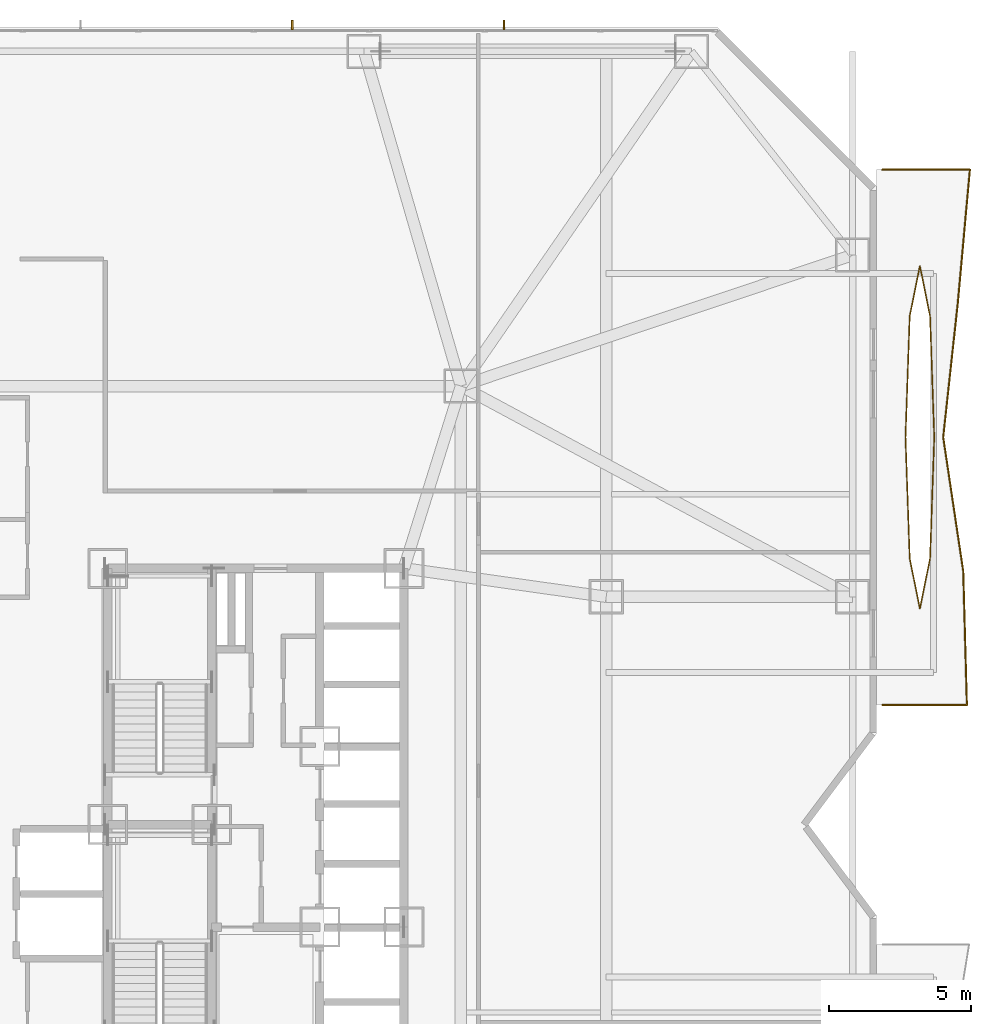
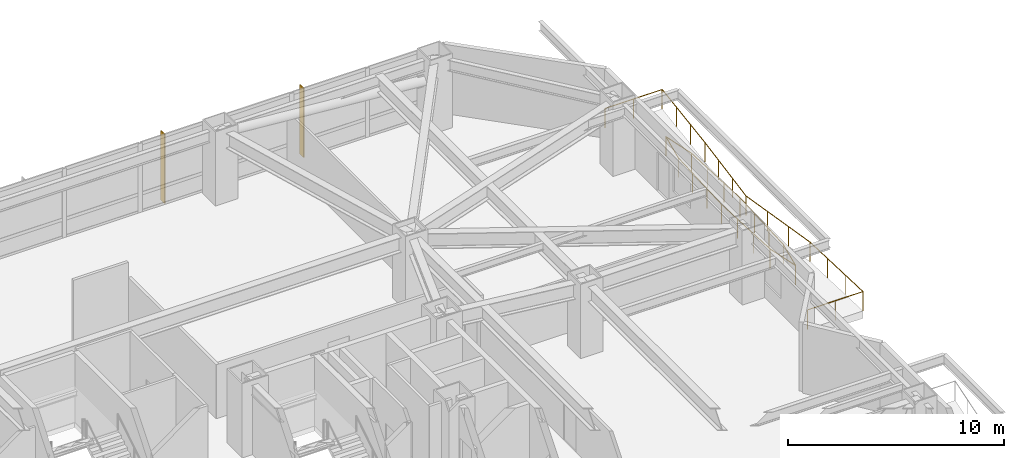
# One storey, part 25 of 25: 4 railings, 2 shading devices.
"""IFC4 building model written with IfcOpenShell, lengths in metres."""

from ifc_helpers import new_model, si_unit, direction, frame, origin, origin_2d, place, context, subcontext, project, spatial, rectangle, circle, extrude, material, type_object, element, save


model = new_model("IFC4")

# Units and contexts
model_context = context("Model", 3, precision=1e-05, world=origin(), true_north=direction((0.0, 1.0)))
body_context = subcontext(model_context, "Body", "Model", "MODEL_VIEW")
ifc_project = project(units=[si_unit("LENGTHUNIT", "METRE"), si_unit("AREAUNIT", "SQUARE_METRE"), si_unit("VOLUMEUNIT", "CUBIC_METRE"), si_unit("PLANEANGLEUNIT", "RADIAN"), si_unit("MASSUNIT", "GRAM", prefix="KILO")], contexts=[model_context])

# Site, building, storey
site_placement = place(None, origin())
site = spatial("IfcSite", under=ifc_project, at=site_placement, CompositionType="ELEMENT")
building_placement = place(site_placement, origin())
building = spatial("IfcBuilding", under=site, at=building_placement, Name="Khamvora Tower", CompositionType="ELEMENT")
storey_placement = place(building_placement, frame((0.0, 0.0, 24.60009765625)))
storey = spatial("IfcBuildingStorey", under=building, at=storey_placement, Name="L05", CompositionType="ELEMENT", Elevation=24.60009765625)

# Railings
ifc_material_1 = material(Name="Stainless Steel 316 and Laminated Glass", Category="steel")
railing_type = type_object("IfcRailingType", Name="RAL-GAL-1120", PredefinedType="GUARDRAIL", material=ifc_material_1)
railing_1_placement = place(storey_placement, frame((56.199951171875, 32.199951171875, 0.0)))
element("IfcRailing", 1, at=railing_1_placement, inside=storey, type_object=railing_type, Name="L05 lens gallery south perimeter guardrail EL2", PredefinedType="GUARDRAIL", context=body_context, shape_type="SweptSolid", body=[
    extrude(circle(Radius=0.02392578125, at=origin_2d()), frame((0.0, 0.0, 1.09619140625), z_axis=(1.0, 0.0, 0.0), x_axis=(0.0, 1.0, 0.0)), (0.0, 0.0, 1.0), 2.967041015625),
    extrude(circle(Radius=0.02392578125, at=origin_2d()), frame((2.967041015625, 0.0, 1.09619140625), z_axis=(-0.027416836445, 0.999624087885, 0.0), x_axis=(-0.999624087885, -0.027416836445, 0.0)), (0.0, 0.0, 1.0), 4.70166015625),
    extrude(circle(Radius=0.02392578125, at=origin_2d()), frame((2.838134765625, 4.699951171875, 1.09619140625), z_axis=(-0.147948564483, 0.988995056746, 0.0), x_axis=(-0.988995056746, -0.147948564483, 0.0)), (0.0, 0.0, 1.0), 4.75244140625),
    extrude(circle(Radius=0.02099609375, at=origin_2d()), origin(), (0.0, 0.0, 1.0), 1.072021484375),
    extrude(circle(Radius=0.02099609375, at=origin_2d()), frame((1.4833984375, 0.0, 0.0)), (0.0, 0.0, 1.0), 1.072021484375),
    extrude(circle(Radius=0.02099609375, at=origin_2d()), frame((2.967041015625, 0.0, 0.0)), (0.0, 0.0, 1.0), 1.072021484375),
    extrude(circle(Radius=0.02099609375, at=origin_2d()), frame((2.924072265625, 1.566650390625, 0.0)), (0.0, 0.0, 1.0), 1.072021484375),
    extrude(circle(Radius=0.02099609375, at=origin_2d()), frame((2.881103515625, 3.13330078125, 0.0)), (0.0, 0.0, 1.0), 1.072021484375),
    extrude(circle(Radius=0.02099609375, at=origin_2d()), frame((2.838134765625, 4.699951171875, 0.0)), (0.0, 0.0, 1.0), 1.072021484375),
    extrude(circle(Radius=0.02099609375, at=origin_2d()), frame((2.603759765625, 6.2666015625, 0.0)), (0.0, 0.0, 1.0), 1.072021484375),
    extrude(circle(Radius=0.02099609375, at=origin_2d()), frame((2.369384765625, 7.83349609375, 0.0)), (0.0, 0.0, 1.0), 1.072021484375),
    extrude(circle(Radius=0.02099609375, at=origin_2d()), frame((2.135009765625, 9.400146484375, 0.0)), (0.0, 0.0, 1.0), 1.072021484375),
])
railing_2_placement = place(storey_placement, frame((58.3349609375, 41.60009765625, 0.0)))
element("IfcRailing", 2, at=railing_2_placement, inside=storey, type_object=railing_type, Name="L05 lens gallery north perimeter guardrail EL2", PredefinedType="GUARDRAIL", context=body_context, shape_type="SweptSolid", body=[
    extrude(circle(Radius=0.02392578125, at=origin_2d()), frame((0.0, 0.0, 1.09619140625), z_axis=(0.108084699753, 0.994141688935, 0.0), x_axis=(-0.994141688935, 0.108084699753, 0.0)), (0.0, 0.0, 1.0), 4.7275390625),
    extrude(circle(Radius=0.02392578125, at=origin_2d()), frame((0.510986328125, 4.699951171875, 1.09619140625), z_axis=(0.090274532388, 0.995916918624, 0.0), x_axis=(-0.995916918624, 0.090274532388, 0.0)), (0.0, 0.0, 1.0), 4.71923828125),
    extrude(circle(Radius=0.02392578125, at=origin_2d()), frame((0.93701171875, 9.39990234375, 1.09619140625), z_axis=(-1.0, 0.0, 0.0), x_axis=(0.0, -1.0, 0.0)), (0.0, 0.0, 1.0), 3.072021484375),
    extrude(circle(Radius=0.02099609375, at=origin_2d()), origin(), (0.0, 0.0, 1.0), 1.072021484375),
    extrude(circle(Radius=0.02099609375, at=origin_2d()), frame((0.17041015625, 1.566650390625, 0.0)), (0.0, 0.0, 1.0), 1.072021484375),
    extrude(circle(Radius=0.02099609375, at=origin_2d()), frame((0.340576171875, 3.13330078125, 0.0)), (0.0, 0.0, 1.0), 1.072021484375),
    extrude(circle(Radius=0.02099609375, at=origin_2d()), frame((0.510986328125, 4.699951171875, 0.0)), (0.0, 0.0, 1.0), 1.072021484375),
    extrude(circle(Radius=0.02099609375, at=origin_2d()), frame((0.653076171875, 6.2666015625, 0.0)), (0.0, 0.0, 1.0), 1.072021484375),
    extrude(circle(Radius=0.02099609375, at=origin_2d()), frame((0.794921875, 7.833251953125, 0.0)), (0.0, 0.0, 1.0), 1.072021484375),
    extrude(circle(Radius=0.02099609375, at=origin_2d()), frame((0.93701171875, 9.39990234375, 0.0)), (0.0, 0.0, 1.0), 1.072021484375),
    extrude(circle(Radius=0.02099609375, at=origin_2d()), frame((-0.59912109375, 9.39990234375, 0.0)), (0.0, 0.0, 1.0), 1.072021484375),
    extrude(circle(Radius=0.02099609375, at=origin_2d()), frame((-2.135009765625, 9.39990234375, 0.0)), (0.0, 0.0, 1.0), 1.072021484375),
])
railing_3_placement = place(storey_placement, frame((58.01904296875, 41.60009765625, 0.0)))
element("IfcRailing", 3, at=railing_3_placement, inside=storey, type_object=railing_type, Name="L05 lens gallery void guardrail EL2A", PredefinedType="GUARDRAIL", context=body_context, shape_type="SweptSolid", body=[
    extrude(circle(Radius=0.02392578125, at=origin_2d()), frame((0.0, 0.0, 1.09619140625), z_axis=(-0.034758598303, 0.999395737355, 0.0), x_axis=(-0.999395737355, -0.034758598303, 0.0)), (0.0, 0.0, 1.0), 4.256591796875),
    extrude(circle(Radius=0.02392578125, at=origin_2d()), frame((-0.14794921875, 4.25390625, 1.09619140625), z_axis=(-0.198152924969, 0.98017111686, 0.0), x_axis=(-0.98017111686, -0.198152924969, 0.0)), (0.0, 0.0, 1.0), 1.797607421875),
    extrude(circle(Radius=0.02392578125, at=origin_2d()), frame((-0.504150390625, 6.015869140625, 1.09619140625), z_axis=(-0.198022438185, -0.980197487232, 0.0), x_axis=(0.980197487232, -0.198022438185, 0.0)), (0.0, 0.0, 1.0), 1.797607421875),
    extrude(circle(Radius=0.02392578125, at=origin_2d()), frame((-0.860107421875, 4.25390625, 1.09619140625), z_axis=(-0.034758598303, -0.999395737355, 0.0), x_axis=(0.999395737355, -0.034758598303, 0.0)), (0.0, 0.0, 1.0), 4.256591796875),
    extrude(circle(Radius=0.02099609375, at=origin_2d()), origin(), (0.0, 0.0, 1.0), 1.072021484375),
    extrude(circle(Radius=0.02099609375, at=origin_2d()), frame((-0.04931640625, 1.41796875, 0.0)), (0.0, 0.0, 1.0), 1.072021484375),
    extrude(circle(Radius=0.02099609375, at=origin_2d()), frame((-0.0986328125, 2.8359375, 0.0)), (0.0, 0.0, 1.0), 1.072021484375),
    extrude(circle(Radius=0.02099609375, at=origin_2d()), frame((-0.14794921875, 4.25390625, 0.0)), (0.0, 0.0, 1.0), 1.072021484375),
    extrude(circle(Radius=0.02099609375, at=origin_2d()), frame((-0.504150390625, 6.015869140625, 0.0)), (0.0, 0.0, 1.0), 1.072021484375),
    extrude(circle(Radius=0.02099609375, at=origin_2d()), frame((-0.860107421875, 4.25390625, 0.0)), (0.0, 0.0, 1.0), 1.072021484375),
    extrude(circle(Radius=0.02099609375, at=origin_2d()), frame((-0.909423828125, 2.8359375, 0.0)), (0.0, 0.0, 1.0), 1.072021484375),
    extrude(circle(Radius=0.02099609375, at=origin_2d()), frame((-0.958740234375, 1.41796875, 0.0)), (0.0, 0.0, 1.0), 1.072021484375),
    extrude(circle(Radius=0.02099609375, at=origin_2d()), frame((-1.008056640625, 0.0, 0.0)), (0.0, 0.0, 1.0), 1.072021484375),
])
railing_4_placement = place(storey_placement, frame((57.010986328125, 41.60009765625, 0.0)))
element("IfcRailing", 4, at=railing_4_placement, inside=storey, type_object=railing_type, Name="L05 lens gallery void guardrail EL2B", PredefinedType="GUARDRAIL", context=body_context, shape_type="SweptSolid", body=[
    extrude(circle(Radius=0.02392578125, at=origin_2d()), frame((0.0, 0.0, 1.09619140625), z_axis=(0.034756605959, -0.999395806646, 0.0), x_axis=(0.999395806646, 0.034756605959, 0.0)), (0.0, 0.0, 1.0), 4.2568359375),
    extrude(circle(Radius=0.02392578125, at=origin_2d()), frame((0.14794921875, -4.254150390625, 1.09619140625), z_axis=(0.198022438185, -0.980197487232, 0.0), x_axis=(0.980197487232, 0.198022438185, 0.0)), (0.0, 0.0, 1.0), 1.797607421875),
    extrude(circle(Radius=0.02392578125, at=origin_2d()), frame((0.50390625, -6.01611328125, 1.09619140625), z_axis=(0.198152924969, 0.98017111686, 0.0), x_axis=(-0.98017111686, 0.198152924969, 0.0)), (0.0, 0.0, 1.0), 1.797607421875),
    extrude(circle(Radius=0.02392578125, at=origin_2d()), frame((0.860107421875, -4.254150390625, 1.09619140625), z_axis=(0.034756605959, 0.999395806646, 0.0), x_axis=(-0.999395806646, 0.034756605959, 0.0)), (0.0, 0.0, 1.0), 4.2568359375),
    extrude(circle(Radius=0.02099609375, at=origin_2d()), origin(), (0.0, 0.0, 1.0), 1.072021484375),
    extrude(circle(Radius=0.02099609375, at=origin_2d()), frame((0.04931640625, -1.41796875, 0.0)), (0.0, 0.0, 1.0), 1.072021484375),
    extrude(circle(Radius=0.02099609375, at=origin_2d()), frame((0.0986328125, -2.836181640625, 0.0)), (0.0, 0.0, 1.0), 1.072021484375),
    extrude(circle(Radius=0.02099609375, at=origin_2d()), frame((0.14794921875, -4.254150390625, 0.0)), (0.0, 0.0, 1.0), 1.072021484375),
    extrude(circle(Radius=0.02099609375, at=origin_2d()), frame((0.50390625, -6.01611328125, 0.0)), (0.0, 0.0, 1.0), 1.072021484375),
    extrude(circle(Radius=0.02099609375, at=origin_2d()), frame((0.860107421875, -4.254150390625, 0.0)), (0.0, 0.0, 1.0), 1.072021484375),
    extrude(circle(Radius=0.02099609375, at=origin_2d()), frame((0.909423828125, -2.836181640625, 0.0)), (0.0, 0.0, 1.0), 1.072021484375),
    extrude(circle(Radius=0.02099609375, at=origin_2d()), frame((0.958740234375, -1.41796875, 0.0)), (0.0, 0.0, 1.0), 1.072021484375),
    extrude(circle(Radius=0.02099609375, at=origin_2d()), frame((1.008056640625, 0.0, 0.0)), (0.0, 0.0, 1.0), 1.072021484375),
])

# Shading devices
ifc_material_2 = material(Name="Anodised Bronze Aluminium 6063-T6", Category="aluminium")
shading_device_type = type_object("IfcShadingDeviceType", Name="SHD-FIN-350", PredefinedType="USERDEFINED", material=ifc_material_2)
for number, where, z_axis, x_axis, name in (
    (5, (35.47607421875, 56.077880859375, 0.0), (0.0, 0.0, 1.0), (1.0, 0.0, 0.0), "L05 anodised bronze solar fin 07.04"),
    (6, (42.9130859375, 56.077880859375, 0.0), (0.0, 0.0, 1.0), (1.0, 0.0, 0.0), "L05 anodised bronze solar fin 07.05"),
):
    element("IfcShadingDevice", number, at=place(storey_placement, frame(where, z_axis=z_axis, x_axis=x_axis)), inside=storey, type_object=shading_device_type, Name=name, ObjectType="FIN", PredefinedType="USERDEFINED", context=body_context, shape_type="SweptSolid", body=[
        extrude(rectangle(XDim=0.054931640625, YDim=0.35009765625, at=origin_2d()), origin(), (0.0, 0.0, 1.0), 3.919921875),
    ])

save(model, "model.ifc")
